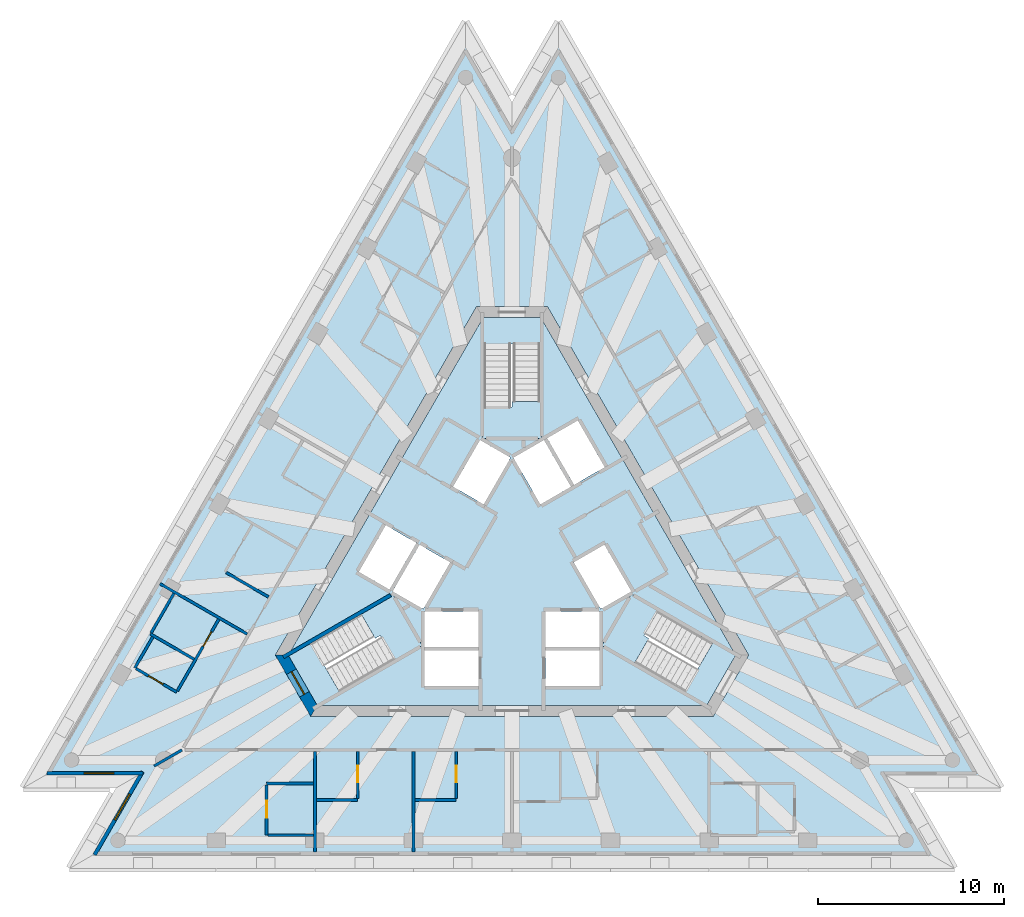
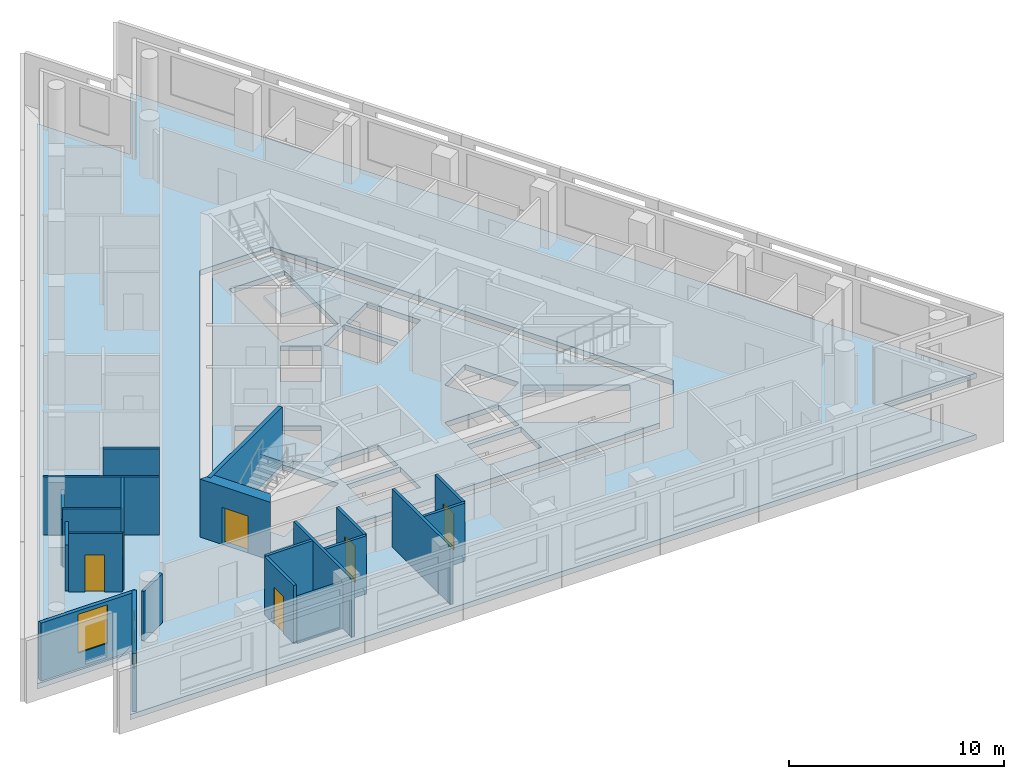
# One storey, part 2 of 11: 21 walls, 6 doors, 5 slabs, 2 windows, 8 openings, 3 elements without a shape of their own.
"""IFC4 building model written with IfcOpenShell, lengths in metres."""

from ifc_helpers import new_model, si_unit, direction, frame, frame_2d, origin, place, context, subcontext, project, spatial, polyline, rectangle, outline, extrude, material, layer, layer_set, layer_usage, type_object, element, fill, aggregate, save


model = new_model("IFC4")

# Units and contexts
model_context = context("Model", 3, precision=1e-05, world=origin(), true_north=direction((0.0, 1.0)))
body_context = subcontext(model_context, "Body", "Model", "MODEL_VIEW")
ifc_project = project(units=[si_unit("LENGTHUNIT", "METRE"), si_unit("AREAUNIT", "SQUARE_METRE"), si_unit("VOLUMEUNIT", "CUBIC_METRE"), si_unit("PLANEANGLEUNIT", "RADIAN"), si_unit("MASSUNIT", "GRAM", prefix="KILO")], contexts=[model_context])

# Site, building, storey
site_placement = place(None, origin())
site = spatial("IfcSite", under=ifc_project, at=site_placement, CompositionType="ELEMENT")
building_placement = place(site_placement, origin())
building = spatial("IfcBuilding", under=site, at=building_placement, Name="Triada Interchange Tower", CompositionType="ELEMENT")
storey_placement = place(building_placement, frame((0.0, 0.0, 300.699951171875)))
storey = spatial("IfcBuildingStorey", under=building, at=storey_placement, Name="L71", CompositionType="ELEMENT", Elevation=300.699951171875)

# Slabs
ifc_material_1 = material(Name="Concrete C50/60", Category="concrete")
ifc_layer_1 = layer(ifc_material_1, 0.300048828125)
ifc_layer_set_1 = layer_set([ifc_layer_1], Name="Floor slab 300")
slab_type_1 = type_object("IfcSlabType", Name="Floor slab 300", PredefinedType="FLOOR", material=ifc_layer_set_1)
slab_1_placement = place(storey_placement, frame((0.0, 0.0, -0.300048828125)))
element("IfcSlab", 1, at=slab_1_placement, inside=storey, type_object=slab_type_1, Name="Floor slab L71", PredefinedType="FLOOR", context=body_context, shape_type="SweptSolid", body=[
    extrude(outline(polyline([(-2.498046875, 27.72705078125), (-25.260986328125, -11.699951171875), (-20.263916015625, -11.699951171875), (-22.762939453125, -16.027099609375), (22.762939453125, -16.027099609375), (20.263916015625, -11.699951171875), (25.260986328125, -11.699951171875), (2.498046875, 27.72705078125), (0.0, 23.39892578125), (-2.498046875, 27.72705078125)]), holes=[polyline([(1.905029296875, 13.60009765625), (-1.905029296875, 13.60009765625), (-12.73095703125, -5.14990234375), (-10.824951171875, -8.449951171875), (10.824951171875, -8.449951171875), (12.73095703125, -5.14990234375), (1.905029296875, 13.60009765625)])]), origin(), (0.0, 0.0, 1.0), 0.300048828125),
])
slab_2_placement = place(storey_placement, frame((0.0, 0.0, -0.300048828125)))
element("IfcSlab", 2, at=slab_2_placement, inside=storey, type_object=slab_type_1, Name="Core floor slab L71 1", PredefinedType="FLOOR", context=body_context, shape_type="SweptSolid", body=[
    extrude(outline(polyline([(12.0380859375, -5.14990234375), (10.47900390625, -7.85009765625), (-10.47900390625, -7.85009765625), (-12.0380859375, -5.14990234375), (-1.55908203125, 13.0), (1.55908203125, 13.0), (12.0380859375, -5.14990234375)]), holes=[polyline([(9.2958984375, -7.09912109375), (10.7958984375, -4.5009765625), (6.466064453125, -2.0009765625), (4.966064453125, -4.59912109375), (9.2958984375, -7.09912109375)]), polyline([(4.969970703125, 0.791015625), (3.324951171875, -0.158935546875), (4.77490234375, -2.669921875), (6.419921875, -1.719970703125), (4.969970703125, 0.791015625)]), polyline([(1.89404296875, 6.52001953125), (3.343994140625, 4.009033203125), (4.989013671875, 4.958984375), (3.5390625, 7.469970703125), (1.89404296875, 6.52001953125)]), polyline([(1.800048828125, -4.89990234375), (1.800048828125, -6.4990234375), (1.800048828125, -6.800048828125), (4.699951171875, -6.800048828125), (4.699951171875, -4.89990234375), (1.800048828125, -4.89990234375)]), polyline([(4.699951171875, -2.800048828125), (1.800048828125, -2.800048828125), (1.800048828125, -4.699951171875), (4.699951171875, -4.699951171875), (4.699951171875, -2.800048828125)]), polyline([(1.52490234375, 2.958984375), (2.594970703125, 3.576904296875), (3.169921875, 3.908935546875), (1.719970703125, 6.419921875), (0.074951171875, 5.469970703125), (1.52490234375, 2.958984375)]), polyline([(-1.5, 11.60009765625), (-1.5, 6.60009765625), (1.5, 6.60009765625), (1.5, 11.60009765625), (-1.5, 11.60009765625)]), polyline([(-1.52490234375, 2.958984375), (-0.074951171875, 5.469970703125), (-1.719970703125, 6.419921875), (-3.169921875, 3.908935546875), (-1.52490234375, 2.958984375)]), polyline([(-1.800048828125, -2.800048828125), (-4.699951171875, -2.800048828125), (-4.699951171875, -4.699951171875), (-1.800048828125, -4.699951171875), (-1.800048828125, -2.800048828125)]), polyline([(-4.699951171875, -6.800048828125), (-1.800048828125, -6.800048828125), (-1.800048828125, -6.4990234375), (-1.800048828125, -4.89990234375), (-4.699951171875, -4.89990234375), (-4.699951171875, -6.800048828125)]), polyline([(-3.427978515625, -0.09912109375), (-4.969970703125, 0.791015625), (-6.419921875, -1.719970703125), (-4.77490234375, -2.669921875), (-3.324951171875, -0.158935546875), (-3.427978515625, -0.09912109375)]), polyline([(-10.7958984375, -4.5009765625), (-9.2958984375, -7.09912109375), (-4.966064453125, -4.59912109375), (-6.466064453125, -2.0009765625), (-10.7958984375, -4.5009765625)]), polyline([(-6.593994140625, -1.6201171875), (-5.14404296875, 0.89111328125), (-6.7890625, 1.841064453125), (-8.239013671875, -0.669921875), (-6.593994140625, -1.6201171875)])]), origin(), (0.0, 0.0, 1.0), 0.300048828125),
])

# Stair, slab
ifc_material_2 = material(Name="Concrete C35/45", Category="concrete")
stair_type = type_object("IfcStairType", Name="HALF TURN STAIR 1400", PredefinedType="HALF_TURN_STAIR", material=ifc_material_2)
stair_1_placement = place(storey_placement, origin())
stair_1 = element("IfcStair", 3, at=stair_1_placement, inside=storey, type_object=stair_type, Name="Exit stair S71-1", PredefinedType="HALF_TURN_STAIR")
ifc_layer_2 = layer(ifc_material_2, 0.199951171875)
ifc_layer_set_2 = layer_set([ifc_layer_2], Name="STAIR LANDING 200")
slab_type_2 = type_object("IfcSlabType", Name="STAIR LANDING 200", PredefinedType="LANDING", material=ifc_layer_set_2)
slab_3_placement = place(storey_placement, frame((0.0, 0.0, 1.521728515625)))
slab_3 = element("IfcSlab", 4, at=slab_3_placement, type_object=slab_type_2, Name="S71-1 landing 1", PredefinedType="LANDING", context=body_context, shape_type="SweptSolid", body=[
    extrude(outline(polyline([(1.60009765625, 6.5), (1.60009765625, 8.5), (0.0, 8.5), (0.0, 8.18994140625), (-1.60009765625, 8.18994140625), (-1.60009765625, 6.5), (1.60009765625, 6.5)])), origin(), (0.0, 0.0, 1.0), 0.199951171875),
])
aggregate(stair_1, [slab_3])

stair_2_placement = place(storey_placement, origin())
stair_2 = element("IfcStair", 5, at=stair_2_placement, inside=storey, type_object=stair_type, Name="Exit stair S71-2", PredefinedType="HALF_TURN_STAIR")
slab_4_placement = place(storey_placement, frame((0.0, 0.0, 1.521728515625)))
slab_4 = element("IfcSlab", 6, at=slab_4_placement, type_object=slab_type_2, Name="S71-2 landing 1", PredefinedType="LANDING", context=body_context, shape_type="SweptSolid", body=[
    extrude(outline(polyline([(-6.428955078125, -1.864013671875), (-8.160888671875, -2.864013671875), (-7.361083984375, -4.25), (-7.093017578125, -4.094970703125), (-6.29296875, -5.48095703125), (-4.8291015625, -4.635986328125), (-6.428955078125, -1.864013671875)])), origin(), (0.0, 0.0, 1.0), 0.199951171875),
])
aggregate(stair_2, [slab_4])

stair_3_placement = place(storey_placement, origin())
stair_3 = element("IfcStair", 7, at=stair_3_placement, inside=storey, type_object=stair_type, Name="Exit stair S71-3", PredefinedType="HALF_TURN_STAIR")
slab_5_placement = place(storey_placement, frame((0.0, 0.0, 1.521728515625)))
slab_5 = element("IfcSlab", 8, at=slab_5_placement, type_object=slab_type_2, Name="S71-3 landing 1", PredefinedType="LANDING", context=body_context, shape_type="SweptSolid", body=[
    extrude(outline(polyline([(4.8291015625, -4.635986328125), (6.56103515625, -5.635986328125), (7.361083984375, -4.25), (7.093017578125, -4.094970703125), (7.89306640625, -2.708984375), (6.428955078125, -1.864013671875), (4.8291015625, -4.635986328125)])), origin(), (0.0, 0.0, 1.0), 0.199951171875),
])
aggregate(stair_3, [slab_5])

# Wall
ifc_material_3 = material(Name="Concrete C30/37", Category="concrete")
ifc_layer_3 = layer(ifc_material_3, 0.199951171875)
ifc_layer_set_3 = layer_set([ifc_layer_3], Name="CORE WALL 200 REI 240")
wall_type_1 = type_object("IfcWallType", Name="CORE WALL 200 REI 240", PredefinedType="SOLIDWALL", material=ifc_layer_set_3)
wall_1_placement = place(storey_placement, frame((-12.301025390625, -5.25390625, 0.0), z_axis=(0.0, 0.0, 1.0), x_axis=(0.866068467981, 0.499925403204, 0.0)))
element("IfcWall", 9, at=wall_1_placement, inside=storey, type_object=wall_type_1, Name="Wall L71 115", PredefinedType="SOLIDWALL", context=body_context, shape_type="SweptSolid", body=[
    extrude(rectangle(XDim=6.66455078125, YDim=0.199951171875, at=frame_2d((3.332275390625, 0.0))), origin(), (0.0, 0.0, 1.0), 3.300048828125),
])

# Wall, opening, door
ifc_material_4 = material(Name="Concrete C40/50", Category="concrete")
ifc_layer_4 = layer(ifc_material_4, 0.60009765625)
ifc_layer_set_4 = layer_set([ifc_layer_4], Name="Core wall D 600")
wall_type_2 = type_object("IfcWallType", Name="Core wall D 600", PredefinedType="SHEAR", material=ifc_layer_set_4)
wall_2_placement = place(storey_placement, frame((-12.384033203125, -5.14990234375, -0.300048828125), z_axis=(0.0, 0.0, 1.0), x_axis=(0.49997462182, -0.866040055388, 0.0)))
wall_2 = element("IfcWall", 10, at=wall_2_placement, inside=storey, type_object=wall_type_2, Name="Core wall WD03 L71", PredefinedType="SHEAR", context=body_context, shape_type="SweptSolid", body=[
    extrude(outline(polyline([(-0.173095703125, -0.301025390625), (1.73193359375, -0.300537109375), (3.636962890625, -0.300048828125), (3.291015625, 0.300048828125), (1.73193359375, 0.300048828125), (0.173095703125, 0.300048828125), (-0.173095703125, -0.301025390625)])), origin(), (0.0, 0.0, 1.0), 3.60009765625),
])
opening_1_placement = place(wall_2_placement, frame((1.031982421875, 0.0, 0.300048828125)))
opening_1 = element("IfcOpeningElement", 11, at=opening_1_placement, cuts=wall_2, Name="Opening D71-51", PredefinedType="OPENING", context=body_context, shape_type="SweptSolid", body=[
    extrude(rectangle(XDim=1.39990234375, YDim=2.10009765625, at=frame_2d((0.699951171875, 1.050048828125))), frame((0.0, 0.31005859375, 0.0), z_axis=(0.0, -1.0, 0.0), x_axis=(1.0, 0.0, 0.0)), (0.0, 0.0, 1.0), 0.62109375),
])
ifc_material_5 = material(Name="Steel S235 door leaf", Category="steel")
door_type_1 = type_object("IfcDoorType", Name="STAIR DOOR 1400 EI2 90-C5S200", OperationType="DOUBLE_DOOR_SINGLE_SWING", PredefinedType="DOOR", material=ifc_material_5)
door_1_placement = place(opening_1_placement, origin())
door_1 = element("IfcDoor", 12, at=door_1_placement, inside=storey, type_object=door_type_1, Name="Door D71-51 L71", OperationType="DOUBLE_DOOR_SINGLE_SWING", OverallHeight=2.10009765625, OverallWidth=1.39990234375, PredefinedType="DOOR", context=body_context, shape_type="SweptSolid", body=[
    extrude(rectangle(XDim=1.39990234375, YDim=2.10009765625, at=frame_2d((0.699951171875, 1.050048828125))), frame((0.0, 0.02490234375, 0.0), z_axis=(0.0, -1.0, 0.0), x_axis=(1.0, 0.0, 0.0)), (0.0, 0.0, 1.0), 0.050048828125),
])
fill(opening_1, door_1)

# Wall, opening, window
ifc_material_6 = material(Name="Cement board")
ifc_layer_5 = layer(ifc_material_6, 0.02001953125, Name="Cement board cladding")
ifc_material_7 = material(Name="Sheathing board")
ifc_layer_6 = layer(ifc_material_7, 0.014892578125, Name="Sheathing board")
ifc_material_8 = material(Name="Mineral wool")
ifc_layer_7 = layer(ifc_material_8, 0.14990234375, Name="Mineral wool between steel studs")
ifc_material_9 = material(Name="Gypsum board")
ifc_layer_8 = layer(ifc_material_9, 0.014892578125, Name="Plasterboard lining")
ifc_layer_set_5 = layer_set([ifc_layer_5, ifc_layer_6, ifc_layer_7, ifc_layer_8], Name="External wall 200")
ifc_layer_usage = layer_usage(ifc_layer_set_5, "AXIS2", "POSITIVE", -0.10009765625)
wall_type_3 = type_object("IfcWallType", Name="External wall 200", PredefinedType="ELEMENTEDWALL", material=ifc_layer_set_5)
wall_3_placement = place(storey_placement, frame((-25.0048828125, -11.5, 0.0), z_axis=(0.0, 0.0, 1.0), x_axis=(1.0, 0.0, 0.0)))
wall_3 = element("IfcWall", 13, at=wall_3_placement, inside=storey, type_object=wall_type_3, material=ifc_layer_usage, Name="External wall L71 SW-1", PredefinedType="ELEMENTEDWALL", context=body_context, shape_type="SweptSolid", body=[
    extrude(rectangle(XDim=5.156982421875, YDim=0.199951171875, at=frame_2d((2.57861328125, 0.0))), origin(), (0.0, 0.0, 1.0), 3.300048828125),
])
opening_2_placement = place(wall_3_placement, frame((1.989990234375, 0.0, 0.89990234375)))
opening_2 = element("IfcOpeningElement", 14, at=opening_2_placement, cuts=wall_3, Name="Opening WD09", PredefinedType="OPENING", context=body_context, shape_type="SweptSolid", body=[
    extrude(rectangle(XDim=1.60009765625, YDim=2.199951171875, at=frame_2d((0.800048828125, 1.10009765625))), frame((0.0, 0.10986328125, 0.0), z_axis=(0.0, -1.0, 0.0), x_axis=(1.0, 0.0, 0.0)), (0.0, 0.0, 1.0), 0.219970703125),
])
ifc_material_10 = material(Name="Double glazed aluminium window", Category="aluminium")
window_type = type_object("IfcWindowType", Name="Ribbon window D pocket", PartitioningType="SINGLE_PANEL", PredefinedType="WINDOW", material=ifc_material_10)
window_1_placement = place(opening_2_placement, origin())
window_1 = element("IfcWindow", 15, at=window_1_placement, inside=storey, type_object=window_type, Name="Window L71 SW-1 1", OverallHeight=2.199951171875, OverallWidth=1.60009765625, PartitioningType="SINGLE_PANEL", PredefinedType="WINDOW", context=body_context, shape_type="SweptSolid", body=[
    extrude(rectangle(XDim=1.60009765625, YDim=2.199951171875, at=frame_2d((0.800048828125, 1.10009765625))), frame((0.0, 0.030029296875, 0.0), z_axis=(0.0, -1.0, 0.0), x_axis=(1.0, 0.0, 0.0)), (0.0, 0.0, 1.0), 0.06005859375),
])
fill(opening_2, window_1)

wall_4_placement = place(storey_placement, frame((-19.873046875, -11.422119140625, 0.0), z_axis=(0.0, 0.0, 1.0), x_axis=(-0.500074877135, -0.865982169134, 0.0)))
wall_4 = element("IfcWall", 16, at=wall_4_placement, inside=storey, type_object=wall_type_3, material=ifc_layer_usage, Name="External wall L71 SW-2", PredefinedType="ELEMENTEDWALL", context=body_context, shape_type="SweptSolid", body=[
    extrude(rectangle(XDim=5.156982421875, YDim=0.199951171875, at=frame_2d((2.57861328125, 0.0))), origin(), (0.0, 0.0, 1.0), 3.300048828125),
])
opening_3_placement = place(wall_4_placement, frame((1.389892578125, 0.0, 0.89990234375)))
opening_3 = element("IfcOpeningElement", 17, at=opening_3_placement, cuts=wall_4, Name="Opening WD10", PredefinedType="OPENING", context=body_context, shape_type="SweptSolid", body=[
    extrude(rectangle(XDim=1.60009765625, YDim=2.199951171875, at=frame_2d((0.800048828125, 1.10009765625))), frame((0.0, 0.10986328125, 0.0), z_axis=(0.0, -1.0, 0.0), x_axis=(1.0, 0.0, 0.0)), (0.0, 0.0, 1.0), 0.219970703125),
])
window_2_placement = place(opening_3_placement, origin())
window_2 = element("IfcWindow", 18, at=window_2_placement, inside=storey, type_object=window_type, Name="Window L71 SW-2 1", OverallHeight=2.199951171875, OverallWidth=1.60009765625, PartitioningType="SINGLE_PANEL", PredefinedType="WINDOW", context=body_context, shape_type="SweptSolid", body=[
    extrude(rectangle(XDim=1.60009765625, YDim=2.199951171875, at=frame_2d((0.800048828125, 1.10009765625))), frame((0.0, 0.030029296875, 0.0), z_axis=(0.0, -1.0, 0.0), x_axis=(1.0, 0.0, 0.0)), (0.0, 0.0, 1.0), 0.06005859375),
])
fill(opening_3, window_2)

# Walls
ifc_material_11 = material(Name="Gypsum board partition")
ifc_layer_9 = layer(ifc_material_11, 0.14990234375)
ifc_layer_set_6 = layer_set([ifc_layer_9], Name="PARTITION 150 EI 180")
wall_type_4 = type_object("IfcWallType", Name="PARTITION 150 EI 180", PredefinedType="PARTITIONING", material=ifc_layer_set_6)
wall_5_placement = place(storey_placement, frame((-19.241943359375, -11.110107421875, 0.0), z_axis=(0.0, 0.0, 1.0), x_axis=(0.86591836888, 0.500185344083, 0.0)))
element("IfcWall", 19, at=wall_5_placement, inside=storey, type_object=wall_type_4, Name="Wall L71 1", PredefinedType="PARTITIONING", context=body_context, shape_type="SweptSolid", body=[
    extrude(rectangle(XDim=1.719482421875, YDim=0.14990234375, at=frame_2d((0.85986328125, 0.0))), origin(), (0.0, 0.0, 1.0), 2.800048828125),
])
wall_6_placement = place(storey_placement, frame((-18.93798828125, -1.30810546875, 0.0), z_axis=(0.0, 0.0, 1.0), x_axis=(0.866006352826, -0.500032995777, 0.0)))
element("IfcWall", 20, at=wall_6_placement, inside=storey, type_object=wall_type_4, Name="Wall L71 3", PredefinedType="PARTITIONING", context=body_context, shape_type="SweptSolid", body=[
    extrude(rectangle(XDim=5.421630859375, YDim=0.14990234375, at=frame_2d((2.7109375, 0.0))), origin(), (0.0, 0.0, 1.0), 3.300048828125),
])
for number, where, z_axis, x_axis, name in (
    (21, (-10.60205078125, -15.7470703125, 0.0), (0.0, 0.0, 1.0), (0.0, 1.0, 0.0), "Wall L71 9"),
    (22, (-5.301025390625, -15.7470703125, 0.0), (0.0, 0.0, 1.0), (0.0, 1.0, 0.0), "Wall L71 11"),
):
    element("IfcWall", number, at=place(storey_placement, frame(where, z_axis=z_axis, x_axis=x_axis)), inside=storey, type_object=wall_type_4, Name=name, PredefinedType="PARTITIONING", context=body_context, shape_type="SweptSolid", body=[
        extrude(rectangle(XDim=5.422119140625, YDim=0.14990234375, at=frame_2d((2.7109375, 0.0))), origin(), (0.0, 0.0, 1.0), 3.300048828125),
    ])
ifc_layer_10 = layer(ifc_material_11, 0.14990234375)
ifc_layer_set_7 = layer_set([ifc_layer_10], Name="PARTITION 150 EI 90")
wall_type_5 = type_object("IfcWallType", Name="PARTITION 150 EI 90", PredefinedType="PARTITIONING", material=ifc_layer_set_7)
wall_7_placement = place(storey_placement, frame((-19.450927734375, -4.013916015625, 0.0), z_axis=(0.0, 0.0, 1.0), x_axis=(0.86594733563, -0.500135193638, 0.0)))
element("IfcWall", 23, at=wall_7_placement, inside=storey, type_object=wall_type_5, Name="Wall L71 27", PredefinedType="PARTITIONING", context=body_context, shape_type="SweptSolid", body=[
    extrude(rectangle(XDim=2.713623046875, YDim=0.14990234375, at=frame_2d((1.35693359375, 0.0))), origin(), (0.0, 0.0, 1.0), 3.300048828125),
])
wall_8_placement = place(storey_placement, frame((-20.2880859375, -5.840087890625, 0.0), z_axis=(0.0, 0.0, 1.0), x_axis=(0.499890818081, 0.866088430819, 0.0)))
element("IfcWall", 24, at=wall_8_placement, inside=storey, type_object=wall_type_5, Name="Wall L71 28", PredefinedType="PARTITIONING", context=body_context, shape_type="SweptSolid", body=[
    extrude(rectangle(XDim=1.9248046875, YDim=0.14990234375, at=frame_2d((0.96240234375, 0.0))), origin(), (0.0, 0.0, 1.0), 2.60009765625),
])

# Wall, opening, door
wall_9_placement = place(storey_placement, frame((-20.222900390625, -5.8779296875, 0.0), z_axis=(0.0, 0.0, 1.0), x_axis=(0.866146950478, -0.499789415832, 0.0)))
wall_9 = element("IfcWall", 25, at=wall_9_placement, inside=storey, type_object=wall_type_5, Name="Wall L71 29", PredefinedType="PARTITIONING", context=body_context, shape_type="SweptSolid", body=[
    extrude(rectangle(XDim=2.52490234375, YDim=0.14990234375, at=frame_2d((1.262451171875, 0.0))), origin(), (0.0, 0.0, 1.0), 3.300048828125),
])
opening_4_placement = place(wall_9_placement, frame((0.77490234375, 0.0, 0.0)))
opening_4 = element("IfcOpeningElement", 26, at=opening_4_placement, cuts=wall_9, Name="Opening D71-48", PredefinedType="OPENING", context=body_context, shape_type="SweptSolid", body=[
    extrude(rectangle(XDim=0.89990234375, YDim=2.10009765625, at=frame_2d((0.449951171875, 1.050048828125))), frame((0.0, 0.0849609375, 0.0), z_axis=(0.0, -1.0, 0.0), x_axis=(1.0, 0.0, 0.0)), (0.0, 0.0, 1.0), 0.169921875),
])
door_type_2 = type_object("IfcDoorType", Name="SERVICE DOOR 900 EI2 45-C5S200", OperationType="NOTDEFINED", PredefinedType="DOOR", material=ifc_material_5)
door_2_placement = place(opening_4_placement, origin())
door_2 = element("IfcDoor", 27, at=door_2_placement, inside=storey, type_object=door_type_2, Name="Door D71-48 L71", OperationType="SINGLE_SWING_LEFT", OverallHeight=2.10009765625, OverallWidth=0.89990234375, PredefinedType="DOOR", context=body_context, shape_type="SweptSolid", body=[
    extrude(rectangle(XDim=0.89990234375, YDim=2.10009765625, at=frame_2d((0.449951171875, 1.050048828125))), frame((0.0, 0.02490234375, 0.0), z_axis=(0.0, -1.0, 0.0), x_axis=(1.0, 0.0, 0.0)), (0.0, 0.0, 1.0), 0.050048828125),
])
fill(opening_4, door_2)

wall_10_placement = place(storey_placement, frame((-17.9990234375, -7.074951171875, 0.0), z_axis=(0.0, 0.0, 1.0), x_axis=(0.49999788721, 0.866026623601, 0.0)))
wall_10 = element("IfcWall", 28, at=wall_10_placement, inside=storey, type_object=wall_type_5, Name="Wall L71 30", PredefinedType="PARTITIONING", context=body_context, shape_type="SweptSolid", body=[
    extrude(rectangle(XDim=4.4501953125, YDim=0.14990234375, at=frame_2d((2.22509765625, 0.0))), origin(), (0.0, 0.0, 1.0), 3.300048828125),
])
opening_5_placement = place(wall_10_placement, frame((2.77490234375, 0.0, 0.0)))
opening_5 = element("IfcOpeningElement", 29, at=opening_5_placement, cuts=wall_10, Name="Opening D71-47", PredefinedType="OPENING", context=body_context, shape_type="SweptSolid", body=[
    extrude(rectangle(XDim=0.89990234375, YDim=2.10009765625, at=frame_2d((0.449951171875, 1.050048828125))), frame((0.0, 0.0849609375, 0.0), z_axis=(0.0, -1.0, 0.0), x_axis=(1.0, 0.0, 0.0)), (0.0, 0.0, 1.0), 0.169921875),
])
door_type_3 = type_object("IfcDoorType", Name="ROOM DOOR 900 EI2 45-C5S200", OperationType="NOTDEFINED", PredefinedType="DOOR", material=ifc_material_5)
door_3_placement = place(opening_5_placement, origin())
door_3 = element("IfcDoor", 30, at=door_3_placement, inside=storey, type_object=door_type_3, Name="Door D71-47 L71", OperationType="SINGLE_SWING_RIGHT", OverallHeight=2.10009765625, OverallWidth=0.89990234375, PredefinedType="DOOR", context=body_context, shape_type="SweptSolid", body=[
    extrude(rectangle(XDim=0.89990234375, YDim=2.10009765625, at=frame_2d((0.449951171875, 1.050048828125))), frame((0.0, 0.02490234375, 0.0), z_axis=(0.0, -1.0, 0.0), x_axis=(1.0, 0.0, 0.0)), (0.0, 0.0, 1.0), 0.050048828125),
])
fill(opening_5, door_3)

# Walls
wall_11_placement = place(storey_placement, frame((-19.4140625, -3.948974609375, 0.0), z_axis=(0.0, 0.0, 1.0), x_axis=(0.499975448907, 0.8660395779, 0.0)))
element("IfcWall", 31, at=wall_11_placement, inside=storey, type_object=wall_type_5, Name="Wall L71 32", PredefinedType="PARTITIONING", context=body_context, shape_type="SweptSolid", body=[
    extrude(rectangle(XDim=2.4501953125, YDim=0.14990234375, at=frame_2d((1.22509765625, 0.0))), origin(), (0.0, 0.0, 1.0), 2.60009765625),
])
wall_12_placement = place(storey_placement, frame((-15.376953125, -0.70703125, 0.0), z_axis=(0.0, 0.0, 1.0), x_axis=(0.86608234587, -0.499901360443, 0.0)))
element("IfcWall", 32, at=wall_12_placement, inside=storey, type_object=wall_type_5, Name="Wall L71 36", PredefinedType="PARTITIONING", context=body_context, shape_type="SweptSolid", body=[
    extrude(rectangle(XDim=2.63818359375, YDim=0.14990234375, at=frame_2d((1.319091796875, 0.0))), origin(), (0.0, 0.0, 1.0), 3.300048828125),
])
for number, where, z_axis, x_axis, name in (
    (33, (-10.527099609375, -12.949951171875, 0.0), (0.0, 0.0, 1.0), (1.0, 0.0, 0.0), "Wall L71 39"),
    (34, (-5.22607421875, -12.949951171875, 0.0), (0.0, 0.0, 1.0), (1.0, 0.0, 0.0), "Wall L71 40"),
):
    element("IfcWall", number, at=place(storey_placement, frame(where, z_axis=z_axis, x_axis=x_axis)), inside=storey, type_object=wall_type_5, Name=name, PredefinedType="PARTITIONING", context=body_context, shape_type="SweptSolid", body=[
        extrude(rectangle(XDim=2.22509765625, YDim=0.14990234375, at=frame_2d((1.112548828125, 0.0))), origin(), (0.0, 0.0, 1.0), 3.300048828125),
    ])

# Wall, opening, door
wall_13_placement = place(storey_placement, frame((-8.302001953125, -12.875, 0.0), z_axis=(0.0, 0.0, 1.0), x_axis=(0.0, 1.0, 0.0)))
wall_13 = element("IfcWall", 35, at=wall_13_placement, inside=storey, type_object=wall_type_5, Name="Wall L71 41", PredefinedType="PARTITIONING", context=body_context, shape_type="SweptSolid", body=[
    extrude(rectangle(XDim=2.550048828125, YDim=0.14990234375, at=frame_2d((1.27490234375, 0.0))), origin(), (0.0, 0.0, 1.0), 3.300048828125),
])
opening_6_placement = place(wall_13_placement, frame((0.875, 0.0, 0.0)))
opening_6 = element("IfcOpeningElement", 36, at=opening_6_placement, cuts=wall_13, Name="Opening D71-14", PredefinedType="OPENING", context=body_context, shape_type="SweptSolid", body=[
    extrude(rectangle(XDim=0.89990234375, YDim=2.10009765625, at=frame_2d((0.449951171875, 1.050048828125))), frame((0.0, 0.0849609375, 0.0), z_axis=(0.0, -1.0, 0.0), x_axis=(1.0, 0.0, 0.0)), (0.0, 0.0, 1.0), 0.169921875),
])
door_4_placement = place(opening_6_placement, origin())
door_4 = element("IfcDoor", 37, at=door_4_placement, inside=storey, type_object=door_type_3, Name="Door D71-14 L71", OperationType="SINGLE_SWING_RIGHT", OverallHeight=2.10009765625, OverallWidth=0.89990234375, PredefinedType="DOOR", context=body_context, shape_type="SweptSolid", body=[
    extrude(rectangle(XDim=0.89990234375, YDim=2.10009765625, at=frame_2d((0.449951171875, 1.050048828125))), frame((0.0, 0.02490234375, 0.0), z_axis=(0.0, -1.0, 0.0), x_axis=(1.0, 0.0, 0.0)), (0.0, 0.0, 1.0), 0.050048828125),
])
fill(opening_6, door_4)

# Wall
wall_14_placement = place(storey_placement, frame((-13.201904296875, -12.050048828125, 0.0), z_axis=(0.0, 0.0, 1.0), x_axis=(1.0, 0.0, 0.0)))
element("IfcWall", 38, at=wall_14_placement, inside=storey, type_object=wall_type_5, Name="Wall L71 42", PredefinedType="PARTITIONING", context=body_context, shape_type="SweptSolid", body=[
    extrude(rectangle(XDim=2.52490234375, YDim=0.14990234375, at=frame_2d((1.262451171875, 0.0))), origin(), (0.0, 0.0, 1.0), 3.300048828125),
])

# Wall, opening, door
wall_15_placement = place(storey_placement, frame((-13.201904296875, -14.837890625, 0.0), z_axis=(0.0, 0.0, 1.0), x_axis=(0.0, 1.0, 0.0)))
wall_15 = element("IfcWall", 39, at=wall_15_placement, inside=storey, type_object=wall_type_5, Name="Wall L71 44", PredefinedType="PARTITIONING", context=body_context, shape_type="SweptSolid", body=[
    extrude(rectangle(XDim=2.712890625, YDim=0.14990234375, at=frame_2d((1.3564453125, 0.0))), origin(), (0.0, 0.0, 1.0), 3.300048828125),
])
opening_7_placement = place(wall_15_placement, frame((0.948974609375, 0.0, 0.0)))
opening_7 = element("IfcOpeningElement", 40, at=opening_7_placement, cuts=wall_15, Name="Opening D71-12", PredefinedType="OPENING", context=body_context, shape_type="SweptSolid", body=[
    extrude(rectangle(XDim=0.89990234375, YDim=2.10009765625, at=frame_2d((0.449951171875, 1.050048828125))), frame((0.0, 0.0849609375, 0.0), z_axis=(0.0, -1.0, 0.0), x_axis=(1.0, 0.0, 0.0)), (0.0, 0.0, 1.0), 0.169921875),
])
door_5_placement = place(opening_7_placement, origin())
door_5 = element("IfcDoor", 41, at=door_5_placement, inside=storey, type_object=door_type_3, Name="Door D71-12 L71", OperationType="SINGLE_SWING_RIGHT", OverallHeight=2.10009765625, OverallWidth=0.89990234375, PredefinedType="DOOR", context=body_context, shape_type="SweptSolid", body=[
    extrude(rectangle(XDim=0.89990234375, YDim=2.10009765625, at=frame_2d((0.449951171875, 1.050048828125))), frame((0.0, 0.02490234375, 0.0), z_axis=(0.0, -1.0, 0.0), x_axis=(1.0, 0.0, 0.0)), (0.0, 0.0, 1.0), 0.050048828125),
])
fill(opening_7, door_5)

# Wall
wall_16_placement = place(storey_placement, frame((-13.126953125, -14.837890625, 0.0), z_axis=(0.0, 0.0, 1.0), x_axis=(1.0, 0.0, 0.0)))
element("IfcWall", 42, at=wall_16_placement, inside=storey, type_object=wall_type_5, Name="Wall L71 45", PredefinedType="PARTITIONING", context=body_context, shape_type="SweptSolid", body=[
    extrude(rectangle(XDim=2.449951171875, YDim=0.14990234375, at=frame_2d((1.22509765625, 0.0))), origin(), (0.0, 0.0, 1.0), 2.60009765625),
])

# Wall, opening, door
wall_17_placement = place(storey_placement, frame((-3.0009765625, -12.875, 0.0), z_axis=(0.0, 0.0, 1.0), x_axis=(0.0, 1.0, 0.0)))
wall_17 = element("IfcWall", 43, at=wall_17_placement, inside=storey, type_object=wall_type_5, Name="Wall L71 52", PredefinedType="PARTITIONING", context=body_context, shape_type="SweptSolid", body=[
    extrude(rectangle(XDim=2.550048828125, YDim=0.14990234375, at=frame_2d((1.27490234375, 0.0))), origin(), (0.0, 0.0, 1.0), 3.300048828125),
])
opening_8_placement = place(wall_17_placement, frame((0.875, 0.0, 0.0)))
opening_8 = element("IfcOpeningElement", 44, at=opening_8_placement, cuts=wall_17, Name="Opening D71-16", PredefinedType="OPENING", context=body_context, shape_type="SweptSolid", body=[
    extrude(rectangle(XDim=0.89990234375, YDim=2.10009765625, at=frame_2d((0.449951171875, 1.050048828125))), frame((0.0, 0.0849609375, 0.0), z_axis=(0.0, -1.0, 0.0), x_axis=(1.0, 0.0, 0.0)), (0.0, 0.0, 1.0), 0.169921875),
])
door_6_placement = place(opening_8_placement, origin())
door_6 = element("IfcDoor", 45, at=door_6_placement, inside=storey, type_object=door_type_3, Name="Door D71-16 L71", OperationType="SINGLE_SWING_RIGHT", OverallHeight=2.10009765625, OverallWidth=0.89990234375, PredefinedType="DOOR", context=body_context, shape_type="SweptSolid", body=[
    extrude(rectangle(XDim=0.89990234375, YDim=2.10009765625, at=frame_2d((0.449951171875, 1.050048828125))), frame((0.0, 0.02490234375, 0.0), z_axis=(0.0, -1.0, 0.0), x_axis=(1.0, 0.0, 0.0)), (0.0, 0.0, 1.0), 0.050048828125),
])
fill(opening_8, door_6)

save(model, "model.ifc")
